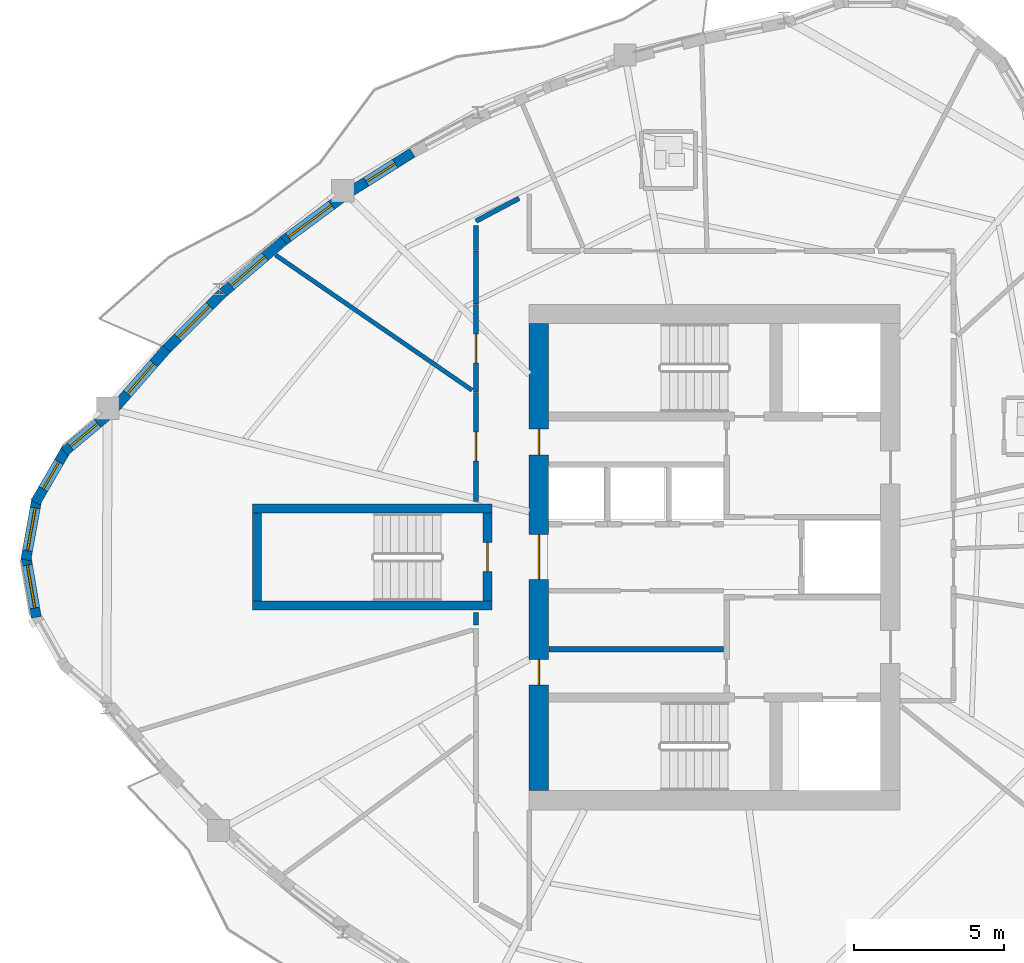
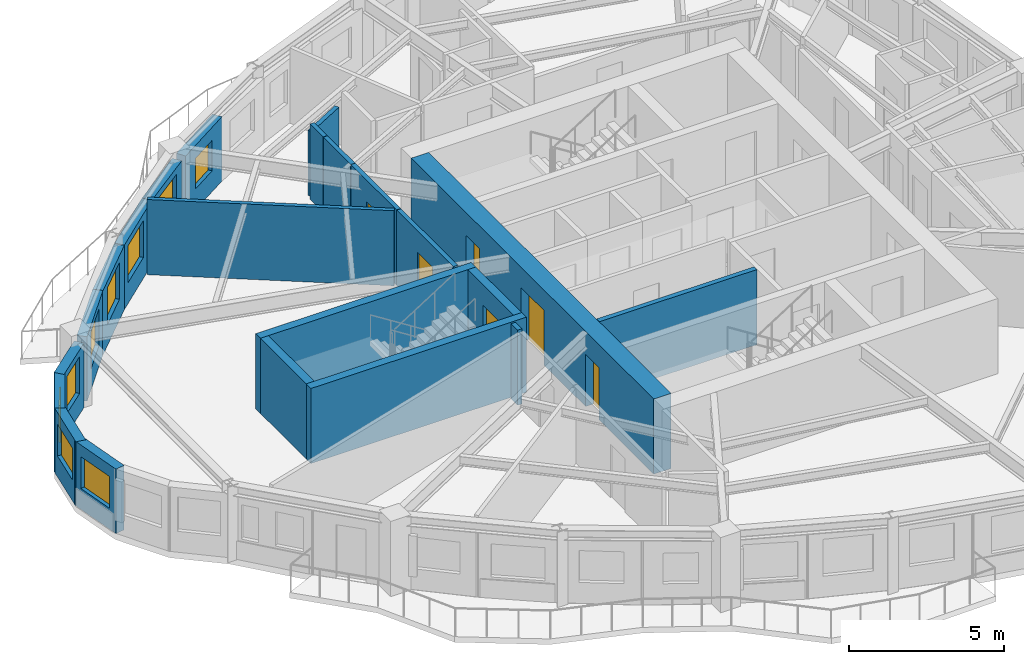
# One storey, part 4 of 12: 22 walls, 9 windows, 6 doors, 15 openings.
"""IFC4 building model written with IfcOpenShell, lengths in metres."""

from ifc_helpers import new_model, si_unit, direction, frame, frame_2d, origin, place, context, subcontext, project, spatial, rectangle, extrude, source, transform, mapped, material, layer, layer_set, type_object, element, fill, save


model = new_model("IFC4")

# Units and contexts
model_context = context("Model", 3, precision=1e-05, world=origin(), true_north=direction((0.0, 1.0)))
body_context = subcontext(model_context, "Body", "Model", "MODEL_VIEW")
ifc_project = project(units=[si_unit("LENGTHUNIT", "METRE"), si_unit("AREAUNIT", "SQUARE_METRE"), si_unit("VOLUMEUNIT", "CUBIC_METRE"), si_unit("PLANEANGLEUNIT", "RADIAN"), si_unit("MASSUNIT", "GRAM", prefix="KILO")], contexts=[model_context])

# Site, building, storey
site_placement = place(None, origin())
site = spatial("IfcSite", under=ifc_project, at=site_placement, CompositionType="ELEMENT")
building_placement = place(site_placement, origin())
building = spatial("IfcBuilding", under=site, at=building_placement, Name="Qafzar Sky-Pleat Residences", CompositionType="ELEMENT")
storey_placement = place(building_placement, frame((0.0, 0.0, 139.39990234375)))
storey = spatial("IfcBuildingStorey", under=building, at=storey_placement, Name="L41", CompositionType="ELEMENT", Elevation=139.39990234375)

# Wall, opening, door
ifc_material_1 = material(Name="Acoustic gypsum plasterboard partition", Category="gypsum")
ifc_layer_1 = layer(ifc_material_1, 0.159912109375)
ifc_layer_set_1 = layer_set([ifc_layer_1], Name="Acoustic gypsum plasterboard partition")
wall_type_1 = type_object("IfcWallType", Name="PART-COR-160", PredefinedType="PARTITIONING", material=ifc_layer_set_1)
wall_1_placement = place(storey_placement, frame((22.3701171875, 27.85009765625, 0.0), z_axis=(0.0, 0.0, 1.0), x_axis=(0.0, 1.0, 0.0)))
wall_1 = element("IfcWall", 1, at=wall_1_placement, inside=storey, type_object=wall_type_1, Name="L41 Partition Wall PART-L41-PW-005", PredefinedType="PARTITIONING", context=body_context, shape_type="SweptSolid", body=[
    extrude(rectangle(XDim=3.657958984375, YDim=0.159912109375, at=frame_2d((1.8291015625, 0.0))), origin(), (0.0, 0.0, 1.0), 2.9501953125),
])
opening_1_placement = place(wall_1_placement, frame((1.368896484375, 0.0, 0.0)))
opening_1 = element("IfcOpeningElement", 2, at=opening_1_placement, cuts=wall_1, Name="Opening ID-06", PredefinedType="OPENING", context=body_context, shape_type="SweptSolid", body=[
    extrude(rectangle(XDim=0.9599609375, YDim=2.10009765625, at=frame_2d((0.47998046875, 1.050048828125))), frame((0.0, 0.08984375, 0.0), z_axis=(0.0, -1.0, 0.0), x_axis=(1.0, 0.0, 0.0)), (0.0, 0.0, 1.0), 0.179931640625),
])
ifc_material_2 = material(Name="Timber-faced fire door", Category="wood")
door_type_1 = type_object("IfcDoorType", Name="DR-STD-960", OperationType="NOTDEFINED", PredefinedType="DOOR", material=ifc_material_2)
shared_shape_1 = source(origin(), body_context, "Body", "SweptSolid", [
    extrude(rectangle(XDim=0.9599609375, YDim=2.10009765625, at=frame_2d((0.47998046875, 1.050048828125))), frame((0.0, 0.02490234375, 0.0), z_axis=(0.0, -1.0, 0.0), x_axis=(1.0, 0.0, 0.0)), (0.0, 0.0, 1.0), 0.050048828125),
])
door_1_placement = place(opening_1_placement, origin())
door_1 = element("IfcDoor", 3, at=door_1_placement, inside=storey, type_object=door_type_1, Name="L41 Faculty Research Office Door", OperationType="SINGLE_SWING_LEFT", OverallHeight=2.10009765625, OverallWidth=0.9599609375, PredefinedType="DOOR", context=body_context, shape_type="MappedRepresentation", body=[
    mapped(shared_shape_1, transform((0.0, 0.0, 0.0), x_axis=(1.0, 0.0, 0.0), y_axis=(0.0, 1.0, 0.0), z_axis=(0.0, 0.0, 1.0), scale=1.0)),
])
fill(opening_1, door_1)

wall_2_placement = place(storey_placement, frame((22.3701171875, 31.52294921875, 0.0), z_axis=(0.0, 0.0, 1.0), x_axis=(0.0, 1.0, 0.0)))
wall_2 = element("IfcWall", 4, at=wall_2_placement, inside=storey, type_object=wall_type_1, Name="L41 Partition Wall PART-L41-PW-008", PredefinedType="PARTITIONING", context=body_context, shape_type="SweptSolid", body=[
    extrude(rectangle(XDim=2.927001953125, YDim=0.159912109375, at=frame_2d((1.46337890625, 0.0))), origin(), (0.0, 0.0, 1.0), 2.9501953125),
])
opening_2_placement = place(wall_2_placement, frame((0.966552734375, 0.0, 0.0)))
opening_2 = element("IfcOpeningElement", 5, at=opening_2_placement, cuts=wall_2, Name="Opening ID-06", PredefinedType="OPENING", context=body_context, shape_type="SweptSolid", body=[
    extrude(rectangle(XDim=0.9599609375, YDim=2.10009765625, at=frame_2d((0.47998046875, 1.050048828125))), frame((0.0, 0.08984375, 0.0), z_axis=(0.0, -1.0, 0.0), x_axis=(1.0, 0.0, 0.0)), (0.0, 0.0, 1.0), 0.179931640625),
])
door_2_placement = place(opening_2_placement, origin())
door_2 = element("IfcDoor", 6, at=door_2_placement, inside=storey, type_object=door_type_1, Name="L41 Media Screening Room Door", OperationType="SINGLE_SWING_LEFT", OverallHeight=2.10009765625, OverallWidth=0.9599609375, PredefinedType="DOOR", context=body_context, shape_type="MappedRepresentation", body=[
    mapped(shared_shape_1, transform((0.0, 0.0, 0.0), x_axis=(1.0, 0.0, 0.0), y_axis=(0.0, 1.0, 0.0), z_axis=(0.0, 0.0, 1.0), scale=1.0)),
])
fill(opening_2, door_2)

# Walls
wall_3_placement = place(storey_placement, frame((22.3701171875, 34.465087890625, 0.0), z_axis=(0.0, 0.0, 1.0), x_axis=(0.0, 1.0, 0.0)))
element("IfcWall", 7, at=wall_3_placement, inside=storey, type_object=wall_type_1, Name="L41 Partition Wall PART-L41-PW-036", PredefinedType="PARTITIONING", context=body_context, shape_type="SweptSolid", body=[
    extrude(rectangle(XDim=1.764892578125, YDim=0.159912109375, at=frame_2d((0.88232421875, 0.0))), origin(), (0.0, 0.0, 1.0), 2.9501953125),
])
wall_4_placement = place(storey_placement, frame((22.3701171875, 37.22802734375, 0.0), z_axis=(0.0, 0.0, 1.0), x_axis=(0.884271493782, 0.466973152638, 0.0)))
element("IfcWall", 8, at=wall_4_placement, inside=storey, type_object=wall_type_1, Name="L41 Partition Wall PART-L41-PW-038", PredefinedType="PARTITIONING", context=body_context, shape_type="SweptSolid", body=[
    extrude(rectangle(XDim=1.631591796875, YDim=0.159912109375, at=frame_2d((0.81591796875, 0.0))), origin(), (0.0, 0.0, 1.0), 2.55810546875),
])
wall_5_placement = place(storey_placement, frame((22.3701171875, 36.2451171875, 0.0), z_axis=(0.0, 0.0, 1.0), x_axis=(0.0, 1.0, 0.0)))
element("IfcWall", 9, at=wall_5_placement, inside=storey, type_object=wall_type_1, Name="L41 Partition Wall PART-L41-PW-040", PredefinedType="PARTITIONING", context=body_context, shape_type="SweptSolid", body=[
    extrude(rectangle(XDim=0.84228515625, YDim=0.159912109375, at=frame_2d((0.421142578125, 0.0))), origin(), (0.0, 0.0, 1.0), 2.9501953125),
])
wall_6_placement = place(storey_placement, frame((22.3701171875, 23.73583984375, 0.0), z_axis=(0.0, 0.0, 1.0), x_axis=(0.0, 1.0, 0.0)))
element("IfcWall", 10, at=wall_6_placement, inside=storey, type_object=wall_type_1, Name="L41 Partition Wall PART-L41-PW-042", PredefinedType="PARTITIONING", context=body_context, shape_type="SweptSolid", body=[
    extrude(rectangle(XDim=0.4140625, YDim=0.159912109375, at=frame_2d((0.20703125, 0.0))), origin(), (0.0, 0.0, 1.0), 2.9501953125),
])
ifc_material_3 = material(Name="Concrete blockwork partition", Category="masonry")
ifc_layer_2 = layer(ifc_material_3, 0.179931640625)
ifc_layer_set_2 = layer_set([ifc_layer_2], Name="Concrete blockwork partition")
wall_type_2 = type_object("IfcWallType", Name="PART-SHAFT-180", PredefinedType="PARTITIONING", material=ifc_layer_set_2)
wall_7_placement = place(storey_placement, frame((24.81005859375, 22.919921875, 0.0), z_axis=(0.0, 0.0, 1.0), x_axis=(1.0, 0.0, 0.0)))
element("IfcWall", 11, at=wall_7_placement, inside=storey, type_object=wall_type_2, Name="L41 Partition Wall PART-L41-P13-S", PredefinedType="PARTITIONING", context=body_context, shape_type="SweptSolid", body=[
    extrude(rectangle(XDim=5.83984375, YDim=0.179931640625, at=frame_2d((2.919921875, 0.0))), origin(), (0.0, 0.0, 1.0), 2.9501953125),
])
ifc_layer_3 = layer(ifc_material_1, 0.14501953125)
ifc_layer_set_3 = layer_set([ifc_layer_3], Name="Acoustic gypsum plasterboard partition")
wall_type_3 = type_object("IfcWallType", Name="PART-UNIT-145", PredefinedType="PARTITIONING", material=ifc_layer_set_3)
wall_8_placement = place(storey_placement, frame((15.677001953125, 36.093505859375, 0.0), z_axis=(0.0, 0.0, 1.0), x_axis=(0.823863992983, -0.566787544911, 0.0)))
element("IfcWall", 12, at=wall_8_placement, inside=storey, type_object=wall_type_3, Name="L41 Partition Wall PART-L41-PW-015", PredefinedType="PARTITIONING", context=body_context, shape_type="SweptSolid", body=[
    extrude(rectangle(XDim=7.96875, YDim=0.14501953125, at=frame_2d((3.984375, 0.0))), origin(), (0.0, 0.0, 1.0), 2.9501953125),
])

# Wall, opening, window
ifc_material_4 = material(Name="Precast concrete C40/50 with honed Riyadh limestone", Category="concrete")
ifc_layer_4 = layer(ifc_material_4, 0.340087890625)
ifc_layer_set_4 = layer_set([ifc_layer_4], Name="Precast concrete C40/50 with honed Riyadh limestone")
wall_type_4 = type_object("IfcWallType", Name="WALL-EXT-340", PredefinedType="SOLIDWALL", material=ifc_layer_set_4)
wall_9_placement = place(storey_placement, frame((10.054443359375, 30.73779296875, 0.0), z_axis=(0.0, 0.0, 1.0), x_axis=(-0.76655488318, -0.642178799925, 0.0)))
wall_9 = element("IfcWall", 13, at=wall_9_placement, inside=storey, type_object=wall_type_4, Name="L41 Limestone Facade Wall 1", PredefinedType="SOLIDWALL", context=body_context, shape_type="SweptSolid", body=[
    extrude(rectangle(XDim=1.888427734375, YDim=0.340087890625, at=frame_2d((0.9443359375, 0.0))), origin(), (0.0, 0.0, 1.0), 2.530029296875),
])
opening_3_placement = place(wall_9_placement, frame((0.419189453125, 0.0, 0.820068359375)))
opening_3 = element("IfcOpeningElement", 14, at=opening_3_placement, cuts=wall_9, Name="Opening WN-05", PredefinedType="OPENING", context=body_context, shape_type="SweptSolid", body=[
    extrude(rectangle(XDim=1.199951171875, YDim=1.449951171875, at=frame_2d((0.60009765625, 0.72509765625))), frame((0.0, 0.18017578125, 0.0), z_axis=(0.0, -1.0, 0.0), x_axis=(1.0, 0.0, 0.0)), (0.0, 0.0, 1.0), 0.360107421875),
])
ifc_material_5 = material(Name="Solar-control low-E glass in bronze aluminium frame", Category="glass")
window_type_1 = type_object("IfcWindowType", Name="WIN-05", PartitioningType="SINGLE_PANEL", PredefinedType="WINDOW", material=ifc_material_5)
shared_shape_2 = source(origin(), body_context, "Body", "SweptSolid", [
    extrude(rectangle(XDim=1.199951171875, YDim=1.449951171875, at=frame_2d((0.60009765625, 0.72509765625))), frame((0.0, 0.030029296875, 0.0), z_axis=(0.0, -1.0, 0.0), x_axis=(1.0, 0.0, 0.0)), (0.0, 0.0, 1.0), 0.06005859375),
])
window_1_placement = place(opening_3_placement, origin())
window_1 = element("IfcWindow", 15, at=window_1_placement, inside=storey, type_object=window_type_1, Name="L41 Punched Facade Window 01", OverallHeight=1.449951171875, OverallWidth=1.199951171875, PartitioningType="SINGLE_PANEL", PredefinedType="WINDOW", context=body_context, shape_type="MappedRepresentation", body=[
    mapped(shared_shape_2, transform((0.0, 0.0, 0.0), x_axis=(1.0, 0.0, 0.0), y_axis=(0.0, 1.0, 0.0), z_axis=(0.0, 0.0, 1.0), scale=1.0)),
])
fill(opening_3, window_1)

wall_10_placement = place(storey_placement, frame((8.693115234375, 29.62744140625, 0.0), z_axis=(0.0, 0.0, 1.0), x_axis=(-0.502090235641, -0.864815237651, 0.0)))
wall_10 = element("IfcWall", 16, at=wall_10_placement, inside=storey, type_object=wall_type_4, Name="L41 Limestone Facade Wall 2", PredefinedType="SOLIDWALL", context=body_context, shape_type="SweptSolid", body=[
    extrude(rectangle(XDim=2.0810546875, YDim=0.340087890625, at=frame_2d((1.04052734375, 0.0))), origin(), (0.0, 0.0, 1.0), 2.530029296875),
])
opening_4_placement = place(wall_10_placement, frame((0.515625, 0.0, 0.820068359375)))
opening_4 = element("IfcOpeningElement", 17, at=opening_4_placement, cuts=wall_10, Name="Opening WN-06", PredefinedType="OPENING", context=body_context, shape_type="SweptSolid", body=[
    extrude(rectangle(XDim=1.050048828125, YDim=1.449951171875, at=frame_2d((0.52490234375, 0.72509765625))), frame((0.0, 0.18017578125, 0.0), z_axis=(0.0, -1.0, 0.0), x_axis=(1.0, 0.0, 0.0)), (0.0, 0.0, 1.0), 0.360107421875),
])
window_type_2 = type_object("IfcWindowType", Name="WIN-06", PartitioningType="SINGLE_PANEL", PredefinedType="WINDOW", material=ifc_material_5)
shared_shape_3 = source(origin(), body_context, "Body", "SweptSolid", [
    extrude(rectangle(XDim=1.050048828125, YDim=1.449951171875, at=frame_2d((0.52490234375, 0.72509765625))), frame((0.0, 0.030029296875, 0.0), z_axis=(0.0, -1.0, 0.0), x_axis=(1.0, 0.0, 0.0)), (0.0, 0.0, 1.0), 0.06005859375),
])
window_2_placement = place(opening_4_placement, origin())
window_2 = element("IfcWindow", 18, at=window_2_placement, inside=storey, type_object=window_type_2, Name="L41 Punched Facade Window 02", OverallHeight=1.449951171875, OverallWidth=1.050048828125, PartitioningType="SINGLE_PANEL", PredefinedType="WINDOW", context=body_context, shape_type="MappedRepresentation", body=[
    mapped(shared_shape_3, transform((0.0, 0.0, 0.0), x_axis=(1.0, 0.0, 0.0), y_axis=(0.0, 1.0, 0.0), z_axis=(0.0, 0.0, 1.0), scale=1.0)),
])
fill(opening_4, window_2)

wall_11_placement = place(storey_placement, frame((7.6943359375, 27.952880859375, 0.0), z_axis=(0.0, 0.0, 1.0), x_axis=(-0.177605215389, -0.984101817632, 0.0)))
wall_11 = element("IfcWall", 19, at=wall_11_placement, inside=storey, type_object=wall_type_4, Name="L41 Limestone Facade Wall 3", PredefinedType="SOLIDWALL", context=body_context, shape_type="SweptSolid", body=[
    extrude(rectangle(XDim=2.081298828125, YDim=0.340087890625, at=frame_2d((1.04052734375, 0.0))), origin(), (0.0, 0.0, 1.0), 2.530029296875),
])
opening_5_placement = place(wall_11_placement, frame((0.315673828125, 0.0, 0.820068359375)))
opening_5 = element("IfcOpeningElement", 20, at=opening_5_placement, cuts=wall_11, Name="Opening WN-15", PredefinedType="OPENING", context=body_context, shape_type="SweptSolid", body=[
    extrude(rectangle(XDim=1.449951171875, YDim=1.25, at=frame_2d((0.72509765625, 0.625))), frame((0.0, 0.18017578125, 0.0), z_axis=(0.0, -1.0, 0.0), x_axis=(1.0, 0.0, 0.0)), (0.0, 0.0, 1.0), 0.360107421875),
])
window_type_3 = type_object("IfcWindowType", Name="WIN-15", PartitioningType="SINGLE_PANEL", PredefinedType="WINDOW", material=ifc_material_5)
shared_shape_4 = source(origin(), body_context, "Body", "SweptSolid", [
    extrude(rectangle(XDim=1.449951171875, YDim=1.25, at=frame_2d((0.72509765625, 0.625))), frame((0.0, 0.030029296875, 0.0), z_axis=(0.0, -1.0, 0.0), x_axis=(1.0, 0.0, 0.0)), (0.0, 0.0, 1.0), 0.06005859375),
])
window_3_placement = place(opening_5_placement, origin())
window_3 = element("IfcWindow", 21, at=window_3_placement, inside=storey, type_object=window_type_3, Name="L41 Punched Facade Window 03", OverallHeight=1.25, OverallWidth=1.449951171875, PartitioningType="SINGLE_PANEL", PredefinedType="WINDOW", context=body_context, shape_type="MappedRepresentation", body=[
    mapped(shared_shape_4, transform((0.0, 0.0, 0.0), x_axis=(1.0, 0.0, 0.0), y_axis=(0.0, 1.0, 0.0), z_axis=(0.0, 0.0, 1.0), scale=1.0)),
])
fill(opening_5, window_3)

wall_12_placement = place(storey_placement, frame((7.325439453125, 26.03857421875, 0.0), z_axis=(0.0, 0.0, 1.0), x_axis=(0.168107405166, -0.985768685001, 0.0)))
wall_12 = element("IfcWall", 22, at=wall_12_placement, inside=storey, type_object=wall_type_4, Name="L41 Limestone Facade Wall 4", PredefinedType="SOLIDWALL", context=body_context, shape_type="SweptSolid", body=[
    extrude(rectangle(XDim=2.0810546875, YDim=0.340087890625, at=frame_2d((1.04052734375, 0.0))), origin(), (0.0, 0.0, 1.0), 2.530029296875),
])
opening_6_placement = place(wall_12_placement, frame((0.315673828125, 0.0, 0.820068359375)))
opening_6 = element("IfcOpeningElement", 23, at=opening_6_placement, cuts=wall_12, Name="Opening WN-15", PredefinedType="OPENING", context=body_context, shape_type="SweptSolid", body=[
    extrude(rectangle(XDim=1.449951171875, YDim=1.25, at=frame_2d((0.72509765625, 0.625))), frame((0.0, 0.18017578125, 0.0), z_axis=(0.0, -1.0, 0.0), x_axis=(1.0, 0.0, 0.0)), (0.0, 0.0, 1.0), 0.360107421875),
])
window_4_placement = place(opening_6_placement, origin())
window_4 = element("IfcWindow", 24, at=window_4_placement, inside=storey, type_object=window_type_3, Name="L41 Punched Facade Window 04", OverallHeight=1.25, OverallWidth=1.449951171875, PartitioningType="SINGLE_PANEL", PredefinedType="WINDOW", context=body_context, shape_type="MappedRepresentation", body=[
    mapped(shared_shape_4, transform((0.0, 0.0, 0.0), x_axis=(1.0, 0.0, 0.0), y_axis=(0.0, 1.0, 0.0), z_axis=(0.0, 0.0, 1.0), scale=1.0)),
])
fill(opening_6, window_4)

wall_13_placement = place(storey_placement, frame((20.248046875, 39.515625, 0.0), z_axis=(0.0, 0.0, 1.0), x_axis=(-0.846438698205, -0.532486178394, 0.0)))
wall_13 = element("IfcWall", 25, at=wall_13_placement, inside=storey, type_object=wall_type_4, Name="L41 Limestone Facade Wall 44", PredefinedType="SOLIDWALL", context=body_context, shape_type="SweptSolid", body=[
    extrude(rectangle(XDim=2.49462890625, YDim=0.340087890625, at=frame_2d((1.247314453125, 0.0))), origin(), (0.0, 0.0, 1.0), 2.530029296875),
])
opening_7_placement = place(wall_13_placement, frame((0.677490234375, 0.0, 0.820068359375)))
opening_7 = element("IfcOpeningElement", 26, at=opening_7_placement, cuts=wall_13, Name="Opening WN-16", PredefinedType="OPENING", context=body_context, shape_type="SweptSolid", body=[
    extrude(rectangle(XDim=1.14990234375, YDim=1.199951171875, at=frame_2d((0.574951171875, 0.60009765625))), frame((0.0, 0.18017578125, 0.0), z_axis=(0.0, -1.0, 0.0), x_axis=(1.0, 0.0, 0.0)), (0.0, 0.0, 1.0), 0.360107421875),
])
window_type_4 = type_object("IfcWindowType", Name="WIN-16", PartitioningType="SINGLE_PANEL", PredefinedType="WINDOW", material=ifc_material_5)
shared_shape_5 = source(origin(), body_context, "Body", "SweptSolid", [
    extrude(rectangle(XDim=1.14990234375, YDim=1.199951171875, at=frame_2d((0.574951171875, 0.60009765625))), frame((0.0, 0.030029296875, 0.0), z_axis=(0.0, -1.0, 0.0), x_axis=(1.0, 0.0, 0.0)), (0.0, 0.0, 1.0), 0.06005859375),
])
window_5_placement = place(opening_7_placement, origin())
window_5 = element("IfcWindow", 27, at=window_5_placement, inside=storey, type_object=window_type_4, Name="L41 Punched Facade Window 44", OverallHeight=1.199951171875, OverallWidth=1.14990234375, PartitioningType="SINGLE_PANEL", PredefinedType="WINDOW", context=body_context, shape_type="MappedRepresentation", body=[
    mapped(shared_shape_5, transform((0.0, 0.0, 0.0), x_axis=(1.0, 0.0, 0.0), y_axis=(0.0, 1.0, 0.0), z_axis=(0.0, 0.0, 1.0), scale=1.0)),
])
fill(opening_7, window_5)

wall_14_placement = place(storey_placement, frame((17.89111328125, 38.01953125, 0.0), z_axis=(0.0, 0.0, 1.0), x_axis=(-0.803824223013, -0.594866891411, 0.0)))
wall_14 = element("IfcWall", 28, at=wall_14_placement, inside=storey, type_object=wall_type_4, Name="L41 Limestone Facade Wall 45", PredefinedType="SOLIDWALL", context=body_context, shape_type="SweptSolid", body=[
    extrude(rectangle(XDim=2.509765625, YDim=0.340087890625, at=frame_2d((1.2548828125, 0.0))), origin(), (0.0, 0.0, 1.0), 2.530029296875),
])
opening_8_placement = place(wall_14_placement, frame((0.429931640625, 0.0, 0.820068359375)))
opening_8 = element("IfcOpeningElement", 29, at=opening_8_placement, cuts=wall_14, Name="Opening WN-01", PredefinedType="OPENING", context=body_context, shape_type="SweptSolid", body=[
    extrude(rectangle(XDim=1.800048828125, YDim=1.449951171875, at=frame_2d((0.89990234375, 0.72509765625))), frame((0.0, 0.18017578125, 0.0), z_axis=(0.0, -1.0, 0.0), x_axis=(1.0, 0.0, 0.0)), (0.0, 0.0, 1.0), 0.360107421875),
])
window_type_5 = type_object("IfcWindowType", Name="WIN-01", PartitioningType="DOUBLE_PANEL_VERTICAL", PredefinedType="WINDOW", material=ifc_material_5)
shared_shape_6 = source(origin(), body_context, "Body", "SweptSolid", [
    extrude(rectangle(XDim=1.800048828125, YDim=1.449951171875, at=frame_2d((0.89990234375, 0.72509765625))), frame((0.0, 0.030029296875, 0.0), z_axis=(0.0, -1.0, 0.0), x_axis=(1.0, 0.0, 0.0)), (0.0, 0.0, 1.0), 0.06005859375),
])
window_6_placement = place(opening_8_placement, origin())
window_6 = element("IfcWindow", 30, at=window_6_placement, inside=storey, type_object=window_type_5, Name="L41 Punched Facade Window 45", OverallHeight=1.449951171875, OverallWidth=1.800048828125, PartitioningType="SINGLE_PANEL", PredefinedType="WINDOW", context=body_context, shape_type="MappedRepresentation", body=[
    mapped(shared_shape_6, transform((0.0, 0.0, 0.0), x_axis=(1.0, 0.0, 0.0), y_axis=(0.0, 1.0, 0.0), z_axis=(0.0, 0.0, 1.0), scale=1.0)),
])
fill(opening_8, window_6)

wall_15_placement = place(storey_placement, frame((15.943115234375, 36.581787109375, 0.0), z_axis=(0.0, 0.0, 1.0), x_axis=(-0.757520482063, -0.652811396389, 0.0)))
wall_15 = element("IfcWall", 31, at=wall_15_placement, inside=storey, type_object=wall_type_4, Name="L41 Limestone Facade Wall 46", PredefinedType="SOLIDWALL", context=body_context, shape_type="SweptSolid", body=[
    extrude(rectangle(XDim=2.67431640625, YDim=0.340087890625, at=frame_2d((1.337158203125, 0.0))), origin(), (0.0, 0.0, 1.0), 2.530029296875),
])
opening_9_placement = place(wall_15_placement, frame((0.822265625, 0.0, 0.820068359375)))
opening_9 = element("IfcOpeningElement", 32, at=opening_9_placement, cuts=wall_15, Name="Opening WN-03", PredefinedType="OPENING", context=body_context, shape_type="SweptSolid", body=[
    extrude(rectangle(XDim=1.5, YDim=1.449951171875, at=frame_2d((0.75, 0.72509765625))), frame((0.0, 0.18017578125, 0.0), z_axis=(0.0, -1.0, 0.0), x_axis=(1.0, 0.0, 0.0)), (0.0, 0.0, 1.0), 0.360107421875),
])
window_type_6 = type_object("IfcWindowType", Name="WIN-03", PartitioningType="DOUBLE_PANEL_VERTICAL", PredefinedType="WINDOW", material=ifc_material_5)
shared_shape_7 = source(origin(), body_context, "Body", "SweptSolid", [
    extrude(rectangle(XDim=1.5, YDim=1.449951171875, at=frame_2d((0.75, 0.72509765625))), frame((0.0, 0.030029296875, 0.0), z_axis=(0.0, -1.0, 0.0), x_axis=(1.0, 0.0, 0.0)), (0.0, 0.0, 1.0), 0.06005859375),
])
window_7_placement = place(opening_9_placement, origin())
window_7 = element("IfcWindow", 33, at=window_7_placement, inside=storey, type_object=window_type_6, Name="L41 Punched Facade Window 46-2", OverallHeight=1.449951171875, OverallWidth=1.5, PartitioningType="SINGLE_PANEL", PredefinedType="WINDOW", context=body_context, shape_type="MappedRepresentation", body=[
    mapped(shared_shape_7, transform((0.0, 0.0, 0.0), x_axis=(1.0, 0.0, 0.0), y_axis=(0.0, 1.0, 0.0), z_axis=(0.0, 0.0, 1.0), scale=1.0)),
])
fill(opening_9, window_7)

wall_16_placement = place(storey_placement, frame((13.89697265625, 34.817138671875, 0.0), z_axis=(0.0, 0.0, 1.0), x_axis=(-0.708362899886, -0.705848427118, 0.0)))
wall_16 = element("IfcWall", 34, at=wall_16_placement, inside=storey, type_object=wall_type_4, Name="L41 Limestone Facade Wall 47", PredefinedType="SOLIDWALL", context=body_context, shape_type="SweptSolid", body=[
    extrude(rectangle(XDim=2.71875, YDim=0.340087890625, at=frame_2d((1.359375, 0.0))), origin(), (0.0, 0.0, 1.0), 2.530029296875),
])
opening_10_placement = place(wall_16_placement, frame((0.599365234375, 0.0, 0.820068359375)))
opening_10 = element("IfcOpeningElement", 35, at=opening_10_placement, cuts=wall_16, Name="Opening WN-03", PredefinedType="OPENING", context=body_context, shape_type="SweptSolid", body=[
    extrude(rectangle(XDim=1.5, YDim=1.449951171875, at=frame_2d((0.75, 0.72509765625))), frame((0.0, 0.18017578125, 0.0), z_axis=(0.0, -1.0, 0.0), x_axis=(1.0, 0.0, 0.0)), (0.0, 0.0, 1.0), 0.360107421875),
])
window_8_placement = place(opening_10_placement, origin())
window_8 = element("IfcWindow", 36, at=window_8_placement, inside=storey, type_object=window_type_6, Name="L41 Punched Facade Window 47", OverallHeight=1.449951171875, OverallWidth=1.5, PartitioningType="SINGLE_PANEL", PredefinedType="WINDOW", context=body_context, shape_type="MappedRepresentation", body=[
    mapped(shared_shape_7, transform((0.0, 0.0, 0.0), x_axis=(1.0, 0.0, 0.0), y_axis=(0.0, 1.0, 0.0), z_axis=(0.0, 0.0, 1.0), scale=1.0)),
])
fill(opening_10, window_8)

wall_17_placement = place(storey_placement, frame((12.031005859375, 32.96240234375, 0.0), z_axis=(0.0, 0.0, 1.0), x_axis=(-0.65760102664, -0.753366371537, 0.0)))
wall_17 = element("IfcWall", 37, at=wall_17_placement, inside=storey, type_object=wall_type_4, Name="L41 Limestone Facade Wall 48", PredefinedType="SOLIDWALL", context=body_context, shape_type="SweptSolid", body=[
    extrude(rectangle(XDim=2.64111328125, YDim=0.340087890625, at=frame_2d((1.320556640625, 0.0))), origin(), (0.0, 0.0, 1.0), 2.530029296875),
])
opening_11_placement = place(wall_17_placement, frame((0.650634765625, 0.0, 0.820068359375)))
opening_11 = element("IfcOpeningElement", 38, at=opening_11_placement, cuts=wall_17, Name="Opening WN-04", PredefinedType="OPENING", context=body_context, shape_type="SweptSolid", body=[
    extrude(rectangle(XDim=1.35009765625, YDim=1.449951171875, at=frame_2d((0.675048828125, 0.72509765625))), frame((0.0, 0.18017578125, 0.0), z_axis=(0.0, -1.0, 0.0), x_axis=(1.0, 0.0, 0.0)), (0.0, 0.0, 1.0), 0.360107421875),
])
window_type_7 = type_object("IfcWindowType", Name="WIN-04", PartitioningType="SINGLE_PANEL", PredefinedType="WINDOW", material=ifc_material_5)
shared_shape_8 = source(origin(), body_context, "Body", "SweptSolid", [
    extrude(rectangle(XDim=1.35009765625, YDim=1.449951171875, at=frame_2d((0.675048828125, 0.72509765625))), frame((0.0, 0.030029296875, 0.0), z_axis=(0.0, -1.0, 0.0), x_axis=(1.0, 0.0, 0.0)), (0.0, 0.0, 1.0), 0.06005859375),
])
window_9_placement = place(opening_11_placement, origin())
window_9 = element("IfcWindow", 39, at=window_9_placement, inside=storey, type_object=window_type_7, Name="L41 Punched Facade Window 48", OverallHeight=1.449951171875, OverallWidth=1.35009765625, PartitioningType="SINGLE_PANEL", PredefinedType="WINDOW", context=body_context, shape_type="MappedRepresentation", body=[
    mapped(shared_shape_8, transform((0.0, 0.0, 0.0), x_axis=(1.0, 0.0, 0.0), y_axis=(0.0, 1.0, 0.0), z_axis=(0.0, 0.0, 1.0), scale=1.0)),
])
fill(opening_11, window_9)

# Walls
ifc_material_6 = material(Name="Concrete C60/75", Category="concrete")
ifc_layer_5 = layer(ifc_material_6, 0.300048828125)
ifc_layer_set_5 = layer_set([ifc_layer_5], Name="Concrete C60/75")
wall_type_5 = type_object("IfcWallType", Name="WALL-SHEAR-300", PredefinedType="SHEAR", material=ifc_layer_set_5)
for number, where, z_axis, x_axis, name in (
    (40, (14.89990234375, 24.375, 0.0), (0.0, 0.0, 1.0), (1.0, 0.0, 0.0), "L41 ST3 wall S"),
    (41, (22.89990234375, 27.625, 0.0), (0.0, 0.0, 1.0), (-1.0, 0.0, 0.0), "L41 ST3 wall N"),
):
    element("IfcWall", number, at=place(storey_placement, frame(where, z_axis=z_axis, x_axis=x_axis)), inside=storey, type_object=wall_type_5, Name=name, PredefinedType="SHEAR", context=body_context, shape_type="SweptSolid", body=[
        extrude(rectangle(XDim=8.0, YDim=0.300048828125, at=frame_2d((4.0, 0.0))), origin(), (0.0, 0.0, 1.0), 2.9501953125),
    ])
wall_18_placement = place(storey_placement, frame((15.050048828125, 27.47509765625, 0.0), z_axis=(0.0, 0.0, 1.0), x_axis=(0.0, -1.0, 0.0)))
element("IfcWall", 42, at=wall_18_placement, inside=storey, type_object=wall_type_5, Name="L41 ST3 wall W", PredefinedType="SHEAR", context=body_context, shape_type="SweptSolid", body=[
    extrude(rectangle(XDim=2.9501953125, YDim=0.300048828125, at=frame_2d((1.47509765625, 0.0))), origin(), (0.0, 0.0, 1.0), 2.9501953125),
])

# Wall, opening, door
wall_19_placement = place(storey_placement, frame((22.75, 24.52490234375, 0.0), z_axis=(0.0, 0.0, 1.0), x_axis=(0.0, 1.0, 0.0)))
wall_19 = element("IfcWall", 43, at=wall_19_placement, inside=storey, type_object=wall_type_5, Name="L41 ST3 wall E", PredefinedType="SHEAR", context=body_context, shape_type="SweptSolid", body=[
    extrude(rectangle(XDim=2.9501953125, YDim=0.300048828125, at=frame_2d((1.47509765625, 0.0))), origin(), (0.0, 0.0, 1.0), 2.9501953125),
])
opening_12_placement = place(wall_19_placement, frame((0.985107421875, 0.0, 0.0)))
opening_12 = element("IfcOpeningElement", 44, at=opening_12_placement, cuts=wall_19, Name="Opening ID-01", PredefinedType="OPENING", context=body_context, shape_type="SweptSolid", body=[
    extrude(rectangle(XDim=0.97998046875, YDim=2.14990234375, at=frame_2d((0.489990234375, 1.074951171875))), frame((0.0, 0.16015625, 0.0), z_axis=(0.0, -1.0, 0.0), x_axis=(1.0, 0.0, 0.0)), (0.0, 0.0, 1.0), 0.320068359375),
])
door_type_2 = type_object("IfcDoorType", Name="DR-STAIR-980", OperationType="NOTDEFINED", PredefinedType="DOOR", material=ifc_material_2)
shared_shape_9 = source(origin(), body_context, "Body", "SweptSolid", [
    extrude(rectangle(XDim=0.97998046875, YDim=2.14990234375, at=frame_2d((0.489990234375, 1.074951171875))), frame((0.0, 0.02490234375, 0.0), z_axis=(0.0, -1.0, 0.0), x_axis=(1.0, 0.0, 0.0)), (0.0, 0.0, 1.0), 0.050048828125),
])
door_3_placement = place(opening_12_placement, origin())
door_3 = element("IfcDoor", 45, at=door_3_placement, inside=storey, type_object=door_type_2, Name="L41 Stair ST3 Fire Door", OperationType="SINGLE_SWING_LEFT", OverallHeight=2.14990234375, OverallWidth=0.97998046875, PredefinedType="DOOR", context=body_context, shape_type="MappedRepresentation", body=[
    mapped(shared_shape_9, transform((0.0, 0.0, 0.0), x_axis=(1.0, 0.0, 0.0), y_axis=(0.0, 1.0, 0.0), z_axis=(0.0, 0.0, 1.0), scale=1.0)),
])
fill(opening_12, door_3)

# Wall, openings, doors
ifc_layer_6 = layer(ifc_material_6, 0.64990234375)
ifc_layer_set_6 = layer_set([ifc_layer_6], Name="Concrete C60/75")
wall_type_6 = type_object("IfcWallType", Name="WALL-SHEAR-650", PredefinedType="SHEAR", material=ifc_layer_set_6)
wall_20_placement = place(storey_placement, frame((24.47509765625, 33.800048828125, 0.0), z_axis=(0.0, 0.0, 1.0), x_axis=(0.0, -1.0, 0.0)))
wall_20 = element("IfcWall", 46, at=wall_20_placement, inside=storey, type_object=wall_type_6, Name="L41 CORE wall W", PredefinedType="SHEAR", context=body_context, shape_type="SweptSolid", body=[
    extrude(rectangle(XDim=15.60009765625, YDim=0.64990234375, at=frame_2d((7.800048828125, 0.0))), origin(), (0.0, 0.0, 1.0), 2.9501953125),
])
opening_13_placement = place(wall_20_placement, frame((7.050048828125, 0.0, 0.0)))
opening_13 = element("IfcOpeningElement", 47, at=opening_13_placement, cuts=wall_20, Name="Opening ID-03", PredefinedType="OPENING", context=body_context, shape_type="SweptSolid", body=[
    extrude(rectangle(XDim=1.5, YDim=2.14990234375, at=frame_2d((0.75, 1.074951171875))), frame((0.0, 0.3349609375, 0.0), z_axis=(0.0, -1.0, 0.0), x_axis=(1.0, 0.0, 0.0)), (0.0, 0.0, 1.0), 0.669921875),
])
opening_14_placement = place(wall_20_placement, frame((3.52001953125, 0.0, 0.0)))
opening_14 = element("IfcOpeningElement", 48, at=opening_14_placement, cuts=wall_20, Name="Opening ID-09", PredefinedType="OPENING", context=body_context, shape_type="SweptSolid", body=[
    extrude(rectangle(XDim=0.860107421875, YDim=2.050048828125, at=frame_2d((0.43017578125, 1.02490234375))), frame((0.0, 0.3349609375, 0.0), z_axis=(0.0, -1.0, 0.0), x_axis=(1.0, 0.0, 0.0)), (0.0, 0.0, 1.0), 0.669921875),
])
opening_15_placement = place(wall_20_placement, frame((11.219970703125, 0.0, 0.0)))
opening_15 = element("IfcOpeningElement", 49, at=opening_15_placement, cuts=wall_20, Name="Opening ID-09", PredefinedType="OPENING", context=body_context, shape_type="SweptSolid", body=[
    extrude(rectangle(XDim=0.860107421875, YDim=2.050048828125, at=frame_2d((0.43017578125, 1.02490234375))), frame((0.0, 0.3349609375, 0.0), z_axis=(0.0, -1.0, 0.0), x_axis=(1.0, 0.0, 0.0)), (0.0, 0.0, 1.0), 0.669921875),
])
door_type_3 = type_object("IfcDoorType", Name="DR-COR-1500", OperationType="DOUBLE_DOOR_SINGLE_SWING", PredefinedType="DOOR", material=ifc_material_2)
shared_shape_10 = source(origin(), body_context, "Body", "SweptSolid", [
    extrude(rectangle(XDim=1.5, YDim=2.14990234375, at=frame_2d((0.75, 1.074951171875))), frame((0.0, 0.02490234375, 0.0), z_axis=(0.0, -1.0, 0.0), x_axis=(1.0, 0.0, 0.0)), (0.0, 0.0, 1.0), 0.050048828125),
])
door_4_placement = place(opening_13_placement, origin())
door_4 = element("IfcDoor", 50, at=door_4_placement, inside=storey, type_object=door_type_3, Name="L41 Lift Lobby West Double Door", OperationType="DOUBLE_DOOR_SINGLE_SWING", OverallHeight=2.14990234375, OverallWidth=1.5, PredefinedType="DOOR", context=body_context, shape_type="MappedRepresentation", body=[
    mapped(shared_shape_10, transform((0.0, 0.0, 0.0), x_axis=(1.0, 0.0, 0.0), y_axis=(0.0, 1.0, 0.0), z_axis=(0.0, 0.0, 1.0), scale=1.0)),
])
fill(opening_13, door_4)
door_type_4 = type_object("IfcDoorType", Name="DR-SVC-860", OperationType="NOTDEFINED", PredefinedType="DOOR", material=ifc_material_2)
shared_shape_11 = source(origin(), body_context, "Body", "SweptSolid", [
    extrude(rectangle(XDim=0.860107421875, YDim=2.050048828125, at=frame_2d((0.43017578125, 1.02490234375))), frame((0.0, 0.02490234375, 0.0), z_axis=(0.0, -1.0, 0.0), x_axis=(1.0, 0.0, 0.0)), (0.0, 0.0, 1.0), 0.050048828125),
])
door_5_placement = place(opening_14_placement, origin())
door_5 = element("IfcDoor", 51, at=door_5_placement, inside=storey, type_object=door_type_4, Name="L41 Core North-West Service Door", OperationType="SINGLE_SWING_RIGHT", OverallHeight=2.050048828125, OverallWidth=0.860107421875, PredefinedType="DOOR", context=body_context, shape_type="MappedRepresentation", body=[
    mapped(shared_shape_11, transform((0.0, 0.0, 0.0), x_axis=(1.0, 0.0, 0.0), y_axis=(0.0, 1.0, 0.0), z_axis=(0.0, 0.0, 1.0), scale=1.0)),
])
fill(opening_14, door_5)
door_6_placement = place(opening_15_placement, origin())
door_6 = element("IfcDoor", 52, at=door_6_placement, inside=storey, type_object=door_type_4, Name="L41 Core South-West Service Door", OperationType="SINGLE_SWING_LEFT", OverallHeight=2.050048828125, OverallWidth=0.860107421875, PredefinedType="DOOR", context=body_context, shape_type="MappedRepresentation", body=[
    mapped(shared_shape_11, transform((0.0, 0.0, 0.0), x_axis=(1.0, 0.0, 0.0), y_axis=(0.0, 1.0, 0.0), z_axis=(0.0, 0.0, 1.0), scale=1.0)),
])
fill(opening_15, door_6)

save(model, "model.ifc")
